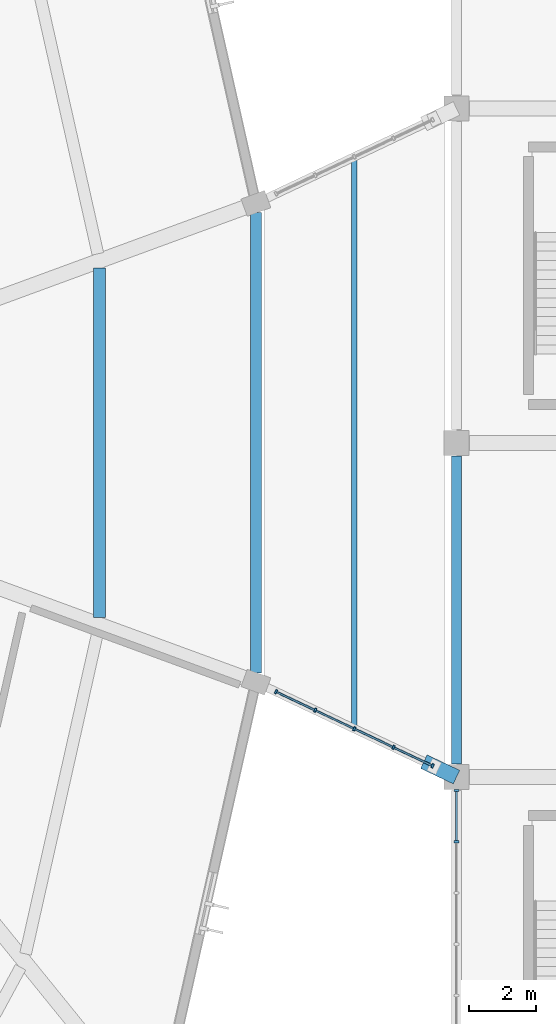
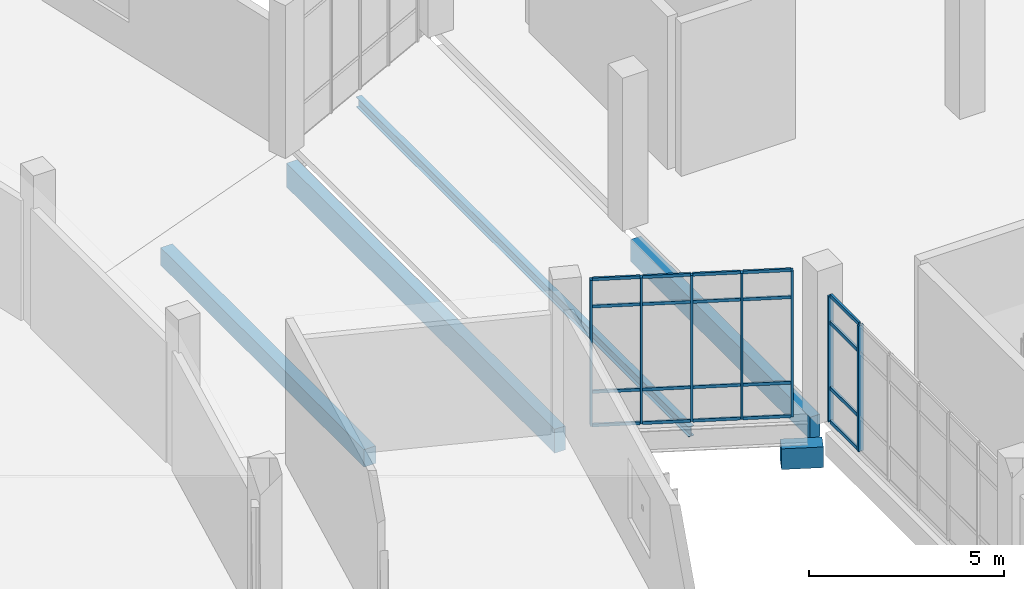
# One storey, part 56 of 179: 27 members, 5 beams, 2 elements without a shape of their own.
"""IFC4 building model written with IfcOpenShell, lengths in metres."""

from ifc_helpers import new_model, si_unit, direction, frame, origin, origin_2d, place, context, subcontext, project, spatial, rectangle, i_section, extrude, material, layer, layer_set, material_profile, profile_set, type_object, element, aggregate, save


model = new_model("IFC4")

# Units and contexts
model_context = context("Model", 3, precision=1e-05, world=origin(), true_north=direction((0.0, 1.0)))
body_context = subcontext(model_context, "Body", "Model", "MODEL_VIEW")
ifc_project = project(units=[si_unit("LENGTHUNIT", "METRE"), si_unit("AREAUNIT", "SQUARE_METRE"), si_unit("VOLUMEUNIT", "CUBIC_METRE"), si_unit("PLANEANGLEUNIT", "RADIAN"), si_unit("MASSUNIT", "GRAM", prefix="KILO")], contexts=[model_context])

# Site, building, storey
site_placement = place(None, origin())
site = spatial("IfcSite", under=ifc_project, at=site_placement, CompositionType="ELEMENT")
building_placement = place(site_placement, origin())
building = spatial("IfcBuilding", under=site, at=building_placement, Name="Corvandel Quay Wholesale Market", CompositionType="ELEMENT")
storey_placement = place(building_placement, frame((0.0, 0.0, 6.0)))
storey = spatial("IfcBuildingStorey", under=building, at=storey_placement, Name="L01", CompositionType="ELEMENT", Elevation=6.0)

# Beam
ifc_material_1 = material(Name="Steel A992 Grade 50", Category="steel")
ifc_material_profile_1 = material_profile(ifc_material_1, i_section(OverallWidth=0.1669921875, OverallDepth=0.318115234375, WebThickness=0.007568359375, FlangeThickness=0.01318359375, at=origin_2d()), Name="W12X35")
ifc_profile_set_1 = profile_set([ifc_material_profile_1], Name="Steel A992 Grade 50")
beam_type_1 = type_object("IfcBeamType", Name="Bridge Floor Steel Beam SB02 W12X35", PredefinedType="BEAM", material=ifc_profile_set_1)
beam_1_placement = place(storey_placement, frame((216.943603515625, 51.456298828125, -0.3798828125), z_axis=(0.0, 1.0, 0.0), x_axis=(-1.0, 0.0, 0.0)))
element("IfcBeam", 1, at=beam_1_placement, inside=storey, type_object=beam_type_1, Name="Beam BM-1810", PredefinedType="BEAM", context=body_context, shape_type="SweptSolid", body=[
    extrude(i_section(OverallWidth=0.1669921875, OverallDepth=0.318115234375, WebThickness=0.007568359375, FlangeThickness=0.01318359375, at=origin_2d()), origin(), (0.0, 0.0, 1.0), 17.08740234375),
])

# Curtain wall, members
ifc_material_2 = material(Name="Bronze anodised aluminium and low-E insulated glazing", Category="aluminium")
ifc_layer_1 = layer(ifc_material_2, 0.18603515625)
ifc_layer_set_1 = layer_set([ifc_layer_1], Name="Bronze anodised aluminium and low-E insulated glazing")
curtain_wall_type_1 = type_object("IfcCurtainWallType", Name="Stick Curtain Wall System CW23 H5070", PredefinedType="NOTDEFINED", material=ifc_layer_set_1)
curtain_wall_1_placement = place(storey_placement, origin())
curtain_wall_1 = element("IfcCurtainWall", 2, at=curtain_wall_1_placement, inside=storey, type_object=curtain_wall_type_1, Name="Curtain Wall CW-0180", PredefinedType="NOTDEFINED")
ifc_material_3 = material(Name="Anodised aluminium 6063-T6", Category="aluminium")
ifc_material_profile_2 = material_profile(ifc_material_3, rectangle(XDim=0.06005859375, YDim=0.1298828125, at=origin_2d()), Name="ALU-MUL-60x130")
ifc_profile_set_2 = profile_set([ifc_material_profile_2], Name="Anodised aluminium 6063-T6")
member_type_1 = type_object("IfcMemberType", Name="Clerestory Mullion ML03 60x130", PredefinedType="MULLION", material=ifc_profile_set_2)
member_1_placement = place(storey_placement, frame((214.60107421875, 52.5546875, -0.030029296875), z_axis=(0.0, 0.0, 1.0), x_axis=(-0.903933318548, 0.427673421689, 0.0)))
member_1 = element("IfcMember", 3, at=member_1_placement, type_object=member_type_1, Name="Mullion CW-0180-M00", PredefinedType="MULLION", context=body_context, shape_type="SweptSolid", body=[
    extrude(rectangle(XDim=0.06005859375, YDim=0.1298828125, at=origin_2d()), origin(), (0.0, 0.0, 1.0), 4.580078125),
])
member_2_placement = place(storey_placement, frame((215.772216796875, 52.00048828125, -0.030029296875), z_axis=(0.0, 0.0, 1.0), x_axis=(-0.903933318548, 0.427673421689, 0.0)))
member_2 = element("IfcMember", 4, at=member_2_placement, type_object=member_type_1, Name="Mullion CW-0180-M01", PredefinedType="MULLION", context=body_context, shape_type="SweptSolid", body=[
    extrude(rectangle(XDim=0.06005859375, YDim=0.1298828125, at=origin_2d()), origin(), (0.0, 0.0, 1.0), 4.580078125),
])
member_3_placement = place(storey_placement, frame((216.943603515625, 51.4462890625, -0.030029296875), z_axis=(0.0, 0.0, 1.0), x_axis=(-0.903933318548, 0.427673421689, 0.0)))
member_3 = element("IfcMember", 5, at=member_3_placement, type_object=member_type_1, Name="Mullion CW-0180-M02", PredefinedType="MULLION", context=body_context, shape_type="SweptSolid", body=[
    extrude(rectangle(XDim=0.06005859375, YDim=0.1298828125, at=origin_2d()), origin(), (0.0, 0.0, 1.0), 4.580078125),
])
member_4_placement = place(storey_placement, frame((218.11474609375, 50.89208984375, -0.030029296875), z_axis=(0.0, 0.0, 1.0), x_axis=(-0.903933318548, 0.427673421689, 0.0)))
member_4 = element("IfcMember", 6, at=member_4_placement, type_object=member_type_1, Name="Mullion CW-0180-M03", PredefinedType="MULLION", context=body_context, shape_type="SweptSolid", body=[
    extrude(rectangle(XDim=0.06005859375, YDim=0.1298828125, at=origin_2d()), origin(), (0.0, 0.0, 1.0), 4.580078125),
])
member_5_placement = place(storey_placement, frame((219.285888671875, 50.337890625, -0.030029296875), z_axis=(0.0, 0.0, 1.0), x_axis=(-0.903933318548, 0.427673421689, 0.0)))
member_5 = element("IfcMember", 7, at=member_5_placement, type_object=member_type_1, Name="Mullion CW-0180-M04", PredefinedType="MULLION", context=body_context, shape_type="SweptSolid", body=[
    extrude(rectangle(XDim=0.06005859375, YDim=0.1298828125, at=origin_2d()), origin(), (0.0, 0.0, 1.0), 4.580078125),
])
ifc_material_profile_3 = material_profile(ifc_material_3, rectangle(XDim=0.054931640625, YDim=0.094970703125, at=origin_2d()), Name="ALU-TRN-55x95")
ifc_profile_set_3 = profile_set([ifc_material_profile_3], Name="Anodised aluminium 6063-T6")
member_type_2 = type_object("IfcMemberType", Name="Clerestory Transom TR03 55x95", PredefinedType="USERDEFINED", material=ifc_profile_set_3)
member_6_placement = place(storey_placement, frame((214.628173828125, 52.541748046875, -0.030029296875), z_axis=(0.903898694623, -0.427746595379, 0.0), x_axis=(0.427746595379, 0.903898694623, 0.0)))
member_6 = element("IfcMember", 8, at=member_6_placement, type_object=member_type_2, Name="Transom CW-0180-T00-0", ObjectType="TRANSOM", PredefinedType="USERDEFINED", context=body_context, shape_type="SweptSolid", body=[
    extrude(rectangle(XDim=0.054931640625, YDim=0.094970703125, at=origin_2d()), origin(), (0.0, 0.0, 1.0), 1.235595703125),
])
member_7_placement = place(storey_placement, frame((214.628173828125, 52.541748046875, 1.02001953125), z_axis=(0.903898694623, -0.427746595379, 0.0), x_axis=(0.427746595379, 0.903898694623, 0.0)))
member_7 = element("IfcMember", 9, at=member_7_placement, type_object=member_type_2, Name="Transom CW-0180-T00-1", ObjectType="TRANSOM", PredefinedType="USERDEFINED", context=body_context, shape_type="SweptSolid", body=[
    extrude(rectangle(XDim=0.054931640625, YDim=0.094970703125, at=origin_2d()), origin(), (0.0, 0.0, 1.0), 1.235595703125),
])
member_8_placement = place(storey_placement, frame((214.628173828125, 52.541748046875, 3.699951171875), z_axis=(0.903898694623, -0.427746595379, 0.0), x_axis=(0.427746595379, 0.903898694623, 0.0)))
member_8 = element("IfcMember", 10, at=member_8_placement, type_object=member_type_2, Name="Transom CW-0180-T00-2", ObjectType="TRANSOM", PredefinedType="USERDEFINED", context=body_context, shape_type="SweptSolid", body=[
    extrude(rectangle(XDim=0.054931640625, YDim=0.094970703125, at=origin_2d()), origin(), (0.0, 0.0, 1.0), 1.235595703125),
])
member_9_placement = place(storey_placement, frame((214.628173828125, 52.541748046875, 4.550048828125), z_axis=(0.903898694623, -0.427746595379, 0.0), x_axis=(0.427746595379, 0.903898694623, 0.0)))
member_9 = element("IfcMember", 11, at=member_9_placement, type_object=member_type_2, Name="Transom CW-0180-T00-3", ObjectType="TRANSOM", PredefinedType="USERDEFINED", context=body_context, shape_type="SweptSolid", body=[
    extrude(rectangle(XDim=0.054931640625, YDim=0.094970703125, at=origin_2d()), origin(), (0.0, 0.0, 1.0), 1.235595703125),
])
member_10_placement = place(storey_placement, frame((215.79931640625, 51.987548828125, -0.030029296875), z_axis=(0.903934834399, -0.427670217761, 0.0), x_axis=(0.427670217761, 0.903934834399, 0.0)))
member_10 = element("IfcMember", 12, at=member_10_placement, type_object=member_type_2, Name="Transom CW-0180-T01-0", ObjectType="TRANSOM", PredefinedType="USERDEFINED", context=body_context, shape_type="SweptSolid", body=[
    extrude(rectangle(XDim=0.054931640625, YDim=0.094970703125, at=origin_2d()), origin(), (0.0, 0.0, 1.0), 1.23583984375),
])
member_11_placement = place(storey_placement, frame((215.79931640625, 51.987548828125, 1.02001953125), z_axis=(0.903934834399, -0.427670217761, 0.0), x_axis=(0.427670217761, 0.903934834399, 0.0)))
member_11 = element("IfcMember", 13, at=member_11_placement, type_object=member_type_2, Name="Transom CW-0180-T01-1", ObjectType="TRANSOM", PredefinedType="USERDEFINED", context=body_context, shape_type="SweptSolid", body=[
    extrude(rectangle(XDim=0.054931640625, YDim=0.094970703125, at=origin_2d()), origin(), (0.0, 0.0, 1.0), 1.23583984375),
])
member_12_placement = place(storey_placement, frame((215.79931640625, 51.987548828125, 3.699951171875), z_axis=(0.903934834399, -0.427670217761, 0.0), x_axis=(0.427670217761, 0.903934834399, 0.0)))
member_12 = element("IfcMember", 14, at=member_12_placement, type_object=member_type_2, Name="Transom CW-0180-T01-2", ObjectType="TRANSOM", PredefinedType="USERDEFINED", context=body_context, shape_type="SweptSolid", body=[
    extrude(rectangle(XDim=0.054931640625, YDim=0.094970703125, at=origin_2d()), origin(), (0.0, 0.0, 1.0), 1.23583984375),
])
member_13_placement = place(storey_placement, frame((215.79931640625, 51.987548828125, 4.550048828125), z_axis=(0.903934834399, -0.427670217761, 0.0), x_axis=(0.427670217761, 0.903934834399, 0.0)))
member_13 = element("IfcMember", 15, at=member_13_placement, type_object=member_type_2, Name="Transom CW-0180-T01-3", ObjectType="TRANSOM", PredefinedType="USERDEFINED", context=body_context, shape_type="SweptSolid", body=[
    extrude(rectangle(XDim=0.054931640625, YDim=0.094970703125, at=origin_2d()), origin(), (0.0, 0.0, 1.0), 1.23583984375),
])
member_14_placement = place(storey_placement, frame((216.970703125, 51.433349609375, -0.030029296875), z_axis=(0.903898694623, -0.427746595379, 0.0), x_axis=(0.427746595379, 0.903898694623, 0.0)))
member_14 = element("IfcMember", 16, at=member_14_placement, type_object=member_type_2, Name="Transom CW-0180-T02-0", ObjectType="TRANSOM", PredefinedType="USERDEFINED", context=body_context, shape_type="SweptSolid", body=[
    extrude(rectangle(XDim=0.054931640625, YDim=0.094970703125, at=origin_2d()), origin(), (0.0, 0.0, 1.0), 1.235595703125),
])
member_15_placement = place(storey_placement, frame((216.970703125, 51.433349609375, 1.02001953125), z_axis=(0.903898694623, -0.427746595379, 0.0), x_axis=(0.427746595379, 0.903898694623, 0.0)))
member_15 = element("IfcMember", 17, at=member_15_placement, type_object=member_type_2, Name="Transom CW-0180-T02-1", ObjectType="TRANSOM", PredefinedType="USERDEFINED", context=body_context, shape_type="SweptSolid", body=[
    extrude(rectangle(XDim=0.054931640625, YDim=0.094970703125, at=origin_2d()), origin(), (0.0, 0.0, 1.0), 1.235595703125),
])
member_16_placement = place(storey_placement, frame((216.970703125, 51.433349609375, 3.699951171875), z_axis=(0.903898694623, -0.427746595379, 0.0), x_axis=(0.427746595379, 0.903898694623, 0.0)))
member_16 = element("IfcMember", 18, at=member_16_placement, type_object=member_type_2, Name="Transom CW-0180-T02-2", ObjectType="TRANSOM", PredefinedType="USERDEFINED", context=body_context, shape_type="SweptSolid", body=[
    extrude(rectangle(XDim=0.054931640625, YDim=0.094970703125, at=origin_2d()), origin(), (0.0, 0.0, 1.0), 1.235595703125),
])
member_17_placement = place(storey_placement, frame((216.970703125, 51.433349609375, 4.550048828125), z_axis=(0.903898694623, -0.427746595379, 0.0), x_axis=(0.427746595379, 0.903898694623, 0.0)))
member_17 = element("IfcMember", 19, at=member_17_placement, type_object=member_type_2, Name="Transom CW-0180-T02-3", ObjectType="TRANSOM", PredefinedType="USERDEFINED", context=body_context, shape_type="SweptSolid", body=[
    extrude(rectangle(XDim=0.054931640625, YDim=0.094970703125, at=origin_2d()), origin(), (0.0, 0.0, 1.0), 1.235595703125),
])
member_18_placement = place(storey_placement, frame((218.141845703125, 50.879150390625, -0.030029296875), z_axis=(0.903898694623, -0.427746595379, 0.0), x_axis=(0.427746595379, 0.903898694623, 0.0)))
member_18 = element("IfcMember", 20, at=member_18_placement, type_object=member_type_2, Name="Transom CW-0180-T03-0", ObjectType="TRANSOM", PredefinedType="USERDEFINED", context=body_context, shape_type="SweptSolid", body=[
    extrude(rectangle(XDim=0.054931640625, YDim=0.094970703125, at=origin_2d()), origin(), (0.0, 0.0, 1.0), 1.235595703125),
])
member_19_placement = place(storey_placement, frame((218.141845703125, 50.879150390625, 1.02001953125), z_axis=(0.903898694623, -0.427746595379, 0.0), x_axis=(0.427746595379, 0.903898694623, 0.0)))
member_19 = element("IfcMember", 21, at=member_19_placement, type_object=member_type_2, Name="Transom CW-0180-T03-1", ObjectType="TRANSOM", PredefinedType="USERDEFINED", context=body_context, shape_type="SweptSolid", body=[
    extrude(rectangle(XDim=0.054931640625, YDim=0.094970703125, at=origin_2d()), origin(), (0.0, 0.0, 1.0), 1.235595703125),
])
member_20_placement = place(storey_placement, frame((218.141845703125, 50.879150390625, 3.699951171875), z_axis=(0.903898694623, -0.427746595379, 0.0), x_axis=(0.427746595379, 0.903898694623, 0.0)))
member_20 = element("IfcMember", 22, at=member_20_placement, type_object=member_type_2, Name="Transom CW-0180-T03-2", ObjectType="TRANSOM", PredefinedType="USERDEFINED", context=body_context, shape_type="SweptSolid", body=[
    extrude(rectangle(XDim=0.054931640625, YDim=0.094970703125, at=origin_2d()), origin(), (0.0, 0.0, 1.0), 1.235595703125),
])
member_21_placement = place(storey_placement, frame((218.141845703125, 50.879150390625, 4.550048828125), z_axis=(0.903898694623, -0.427746595379, 0.0), x_axis=(0.427746595379, 0.903898694623, 0.0)))
member_21 = element("IfcMember", 23, at=member_21_placement, type_object=member_type_2, Name="Transom CW-0180-T03-3", ObjectType="TRANSOM", PredefinedType="USERDEFINED", context=body_context, shape_type="SweptSolid", body=[
    extrude(rectangle(XDim=0.054931640625, YDim=0.094970703125, at=origin_2d()), origin(), (0.0, 0.0, 1.0), 1.235595703125),
])
aggregate(curtain_wall_1, [member_1, member_2, member_3, member_4, member_5, member_6, member_7, member_8, member_9, member_10, member_11, member_12, member_13, member_14, member_15, member_16, member_17, member_18, member_19, member_20, member_21])

ifc_layer_2 = layer(ifc_material_2, 0.174072265625)
ifc_layer_set_2 = layer_set([ifc_layer_2], Name="Bronze anodised aluminium and low-E insulated glazing")
curtain_wall_type_2 = type_object("IfcCurtainWallType", Name="Stick Curtain Wall System CW22 H4980", PredefinedType="NOTDEFINED", material=ifc_layer_set_2)
curtain_wall_2_placement = place(storey_placement, origin())
curtain_wall_2 = element("IfcCurtainWall", 24, at=curtain_wall_2_placement, inside=storey, type_object=curtain_wall_type_2, Name="Curtain Wall CW-0152", PredefinedType="NOTDEFINED")
ifc_material_profile_4 = material_profile(ifc_material_3, rectangle(XDim=0.06494140625, YDim=0.14990234375, at=origin_2d()), Name="ALU-MUL-65x150")
ifc_profile_set_4 = profile_set([ifc_material_profile_4], Name="Anodised aluminium 6063-T6")
member_type_3 = type_object("IfcMemberType", Name="Curtain Wall Mullion ML02 65x150", PredefinedType="MULLION", material=ifc_profile_set_4)
member_22_placement = place(storey_placement, frame((220.0, 48.066650390625, 0.0), z_axis=(0.0, 0.0, 1.0), x_axis=(0.0, 1.0, 0.0)))
member_22 = element("IfcMember", 25, at=member_22_placement, type_object=member_type_3, Name="Mullion CW-0152-M05", PredefinedType="MULLION", context=body_context, shape_type="SweptSolid", body=[
    extrude(rectangle(XDim=0.06494140625, YDim=0.14990234375, at=origin_2d()), origin(), (0.0, 0.0, 1.0), 3.949951171875),
])
member_23_placement = place(storey_placement, frame((220.0, 49.60009765625, 0.0), z_axis=(0.0, 0.0, 1.0), x_axis=(0.0, 1.0, 0.0)))
member_23 = element("IfcMember", 26, at=member_23_placement, type_object=member_type_3, Name="Mullion CW-0152-M06", PredefinedType="MULLION", context=body_context, shape_type="SweptSolid", body=[
    extrude(rectangle(XDim=0.06494140625, YDim=0.14990234375, at=origin_2d()), origin(), (0.0, 0.0, 1.0), 3.949951171875),
])
ifc_material_profile_5 = material_profile(ifc_material_3, rectangle(XDim=0.06005859375, YDim=0.110107421875, at=origin_2d()), Name="ALU-TRN-60x110")
ifc_profile_set_5 = profile_set([ifc_material_profile_5], Name="Anodised aluminium 6063-T6")
member_type_4 = type_object("IfcMemberType", Name="Curtain Wall Transom TR02 60x110", PredefinedType="USERDEFINED", material=ifc_profile_set_5)
member_24_placement = place(storey_placement, frame((220.0, 48.09912109375, 0.0), z_axis=(0.0, 1.0, 0.0), x_axis=(-1.0, 0.0, 0.0)))
member_24 = element("IfcMember", 27, at=member_24_placement, type_object=member_type_4, Name="Transom CW-0152-T05-0", ObjectType="TRANSOM", PredefinedType="USERDEFINED", context=body_context, shape_type="SweptSolid", body=[
    extrude(rectangle(XDim=0.06005859375, YDim=0.110107421875, at=origin_2d()), origin(), (0.0, 0.0, 1.0), 1.46826171875),
])
member_25_placement = place(storey_placement, frame((220.0, 48.09912109375, 1.050048828125), z_axis=(0.0, 1.0, 0.0), x_axis=(-1.0, 0.0, 0.0)))
member_25 = element("IfcMember", 28, at=member_25_placement, type_object=member_type_4, Name="Transom CW-0152-T05-1", ObjectType="TRANSOM", PredefinedType="USERDEFINED", context=body_context, shape_type="SweptSolid", body=[
    extrude(rectangle(XDim=0.06005859375, YDim=0.110107421875, at=origin_2d()), origin(), (0.0, 0.0, 1.0), 1.46826171875),
])
member_26_placement = place(storey_placement, frame((220.0, 48.09912109375, 3.10009765625), z_axis=(0.0, 1.0, 0.0), x_axis=(-1.0, 0.0, 0.0)))
member_26 = element("IfcMember", 29, at=member_26_placement, type_object=member_type_4, Name="Transom CW-0152-T05-2", ObjectType="TRANSOM", PredefinedType="USERDEFINED", context=body_context, shape_type="SweptSolid", body=[
    extrude(rectangle(XDim=0.06005859375, YDim=0.110107421875, at=origin_2d()), origin(), (0.0, 0.0, 1.0), 1.46826171875),
])
member_27_placement = place(storey_placement, frame((220.0, 48.09912109375, 3.949951171875), z_axis=(0.0, 1.0, 0.0), x_axis=(-1.0, 0.0, 0.0)))
member_27 = element("IfcMember", 30, at=member_27_placement, type_object=member_type_4, Name="Transom CW-0152-T05-3", ObjectType="TRANSOM", PredefinedType="USERDEFINED", context=body_context, shape_type="SweptSolid", body=[
    extrude(rectangle(XDim=0.06005859375, YDim=0.110107421875, at=origin_2d()), origin(), (0.0, 0.0, 1.0), 1.46826171875),
])
aggregate(curtain_wall_2, [member_22, member_23, member_24, member_25, member_26, member_27])

# Beams
ifc_material_4 = material(Name="Precast concrete C45/55", Category="concrete")
ifc_material_profile_6 = material_profile(ifc_material_4, rectangle(XDim=0.320068359375, YDim=0.75, at=origin_2d()), Name="PC-SPN-320x750")
ifc_profile_set_6 = profile_set([ifc_material_profile_6], Name="Precast concrete C45/55")
beam_type_2 = type_object("IfcBeamType", Name="Pavilion Precast Spandrel SP02 320x750", PredefinedType="SPANDREL", material=ifc_profile_set_6)
beam_2_placement = place(storey_placement, frame((214.0, 53.10888671875, -0.614990234375), z_axis=(0.0, 1.0, 0.0), x_axis=(-1.0, 0.0, 0.0)))
element("IfcBeam", 31, at=beam_2_placement, inside=storey, type_object=beam_type_2, Name="Beam BM-0926", PredefinedType="SPANDREL", context=body_context, shape_type="SweptSolid", body=[
    extrude(rectangle(XDim=0.320068359375, YDim=0.75, at=origin_2d()), origin(), (0.0, 0.0, 1.0), 13.7822265625),
])
ifc_material_profile_7 = material_profile(ifc_material_4, rectangle(XDim=0.449951171875, YDim=0.64990234375, at=origin_2d()), Name="PC-COR-680x650")
ifc_profile_set_7 = profile_set([ifc_material_profile_7], Name="Precast concrete C45/55")
beam_type_3 = type_object("IfcBeamType", Name="Seismic Joint Precast Corbel CB01 680x650", PredefinedType="BEAM", material=ifc_profile_set_7)
beam_3_placement = place(storey_placement, frame((220.0, 50.0, -1.22802734375), z_axis=(-0.903935655533, 0.427668482188, 0.0), x_axis=(-0.427668482188, -0.903935655533, 0.0)))
element("IfcBeam", 32, at=beam_3_placement, inside=storey, type_object=beam_type_3, Name="Beam BM-1806", PredefinedType="BEAM", context=body_context, shape_type="SweptSolid", body=[
    extrude(rectangle(XDim=0.449951171875, YDim=0.64990234375, at=origin_2d()), origin(), (0.0, 0.0, 1.0), 1.080078125),
])
ifc_material_profile_8 = material_profile(ifc_material_4, rectangle(XDim=0.35009765625, YDim=0.550048828125, at=origin_2d()), Name="PC-BM-350x550")
ifc_profile_set_8 = profile_set([ifc_material_profile_8], Name="Precast concrete C45/55")
beam_type_4 = type_object("IfcBeamType", Name="Standard Floor Secondary Beam B03 350x550", PredefinedType="BEAM", material=ifc_profile_set_8)
beam_4_placement = place(storey_placement, frame((209.320068359375, 54.7724609375, -0.514892578125), z_axis=(0.0, 1.0, 0.0), x_axis=(-1.0, 0.0, 0.0)))
element("IfcBeam", 33, at=beam_4_placement, inside=storey, type_object=beam_type_4, Name="Beam BM-0929", PredefinedType="BEAM", context=body_context, shape_type="SweptSolid", body=[
    extrude(rectangle(XDim=0.35009765625, YDim=0.550048828125, at=origin_2d()), origin(), (0.0, 0.0, 1.0), 10.455078125),
])
ifc_material_profile_9 = material_profile(ifc_material_4, rectangle(XDim=0.300048828125, YDim=0.699951171875, at=origin_2d()), Name="PC-SPN-300x700")
ifc_profile_set_9 = profile_set([ifc_material_profile_9], Name="Precast concrete C45/55")
beam_type_5 = type_object("IfcBeamType", Name="Terrace Edge Spandrel SP03 300x700", PredefinedType="SPANDREL", material=ifc_profile_set_9)
beam_5_placement = place(storey_placement, frame((220.0, 50.39501953125, -0.669921875), z_axis=(0.0, 1.0, 0.0), x_axis=(-1.0, 0.0, 0.0)))
element("IfcBeam", 34, at=beam_5_placement, inside=storey, type_object=beam_type_5, Name="Beam BM-1443", PredefinedType="SPANDREL", context=body_context, shape_type="SweptSolid", body=[
    extrude(rectangle(XDim=0.300048828125, YDim=0.699951171875, at=origin_2d()), origin(), (0.0, 0.0, 1.0), 9.2099609375),
])

save(model, "model.ifc")
